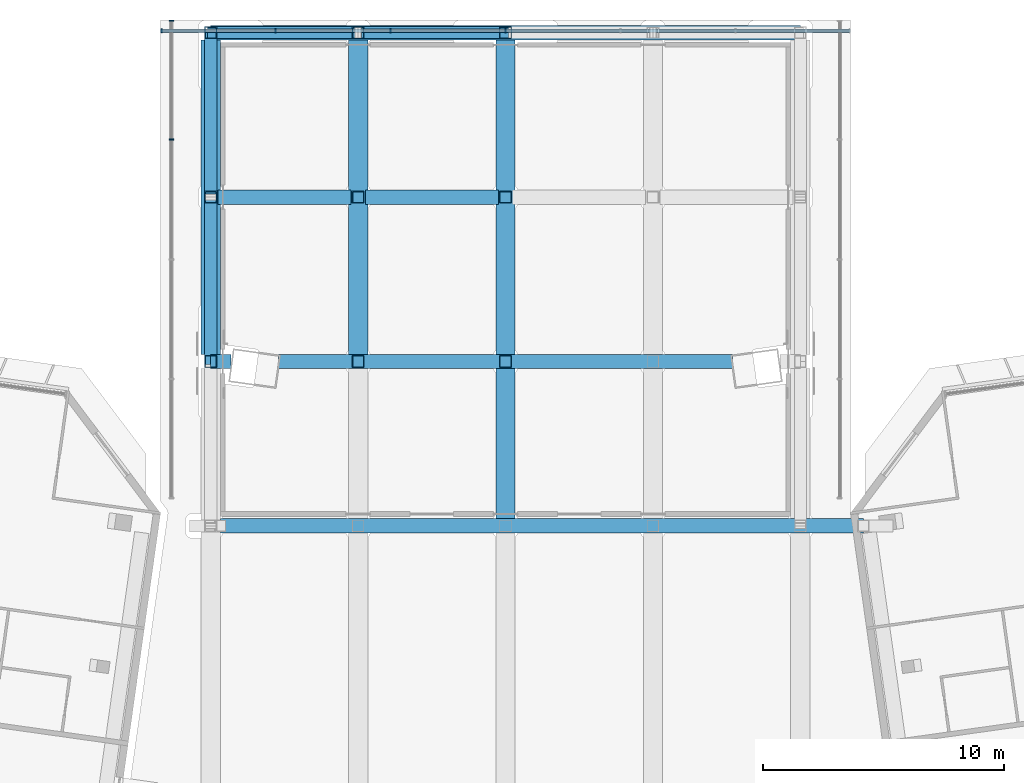
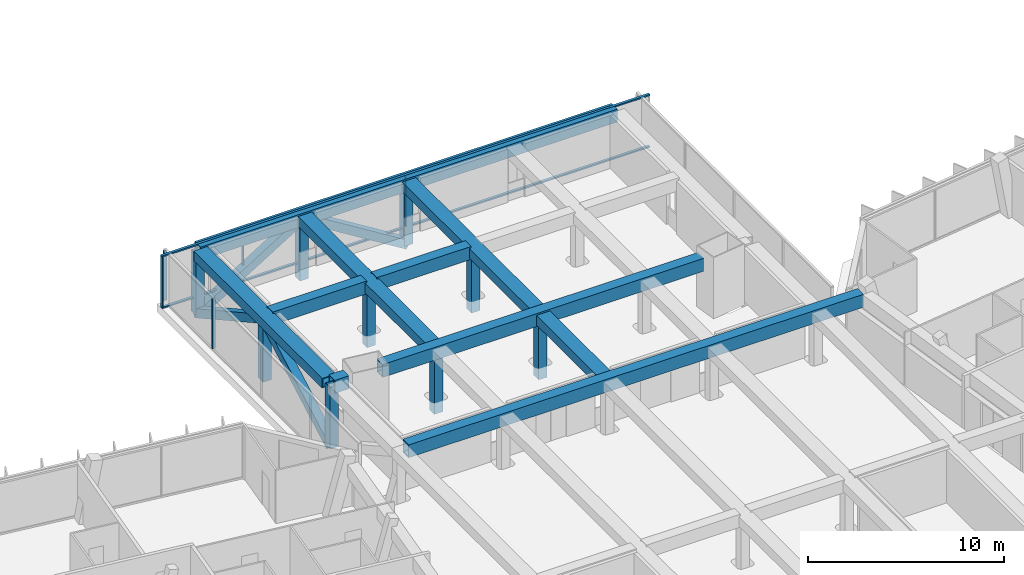
# One storey, part 9 of 30: 31 members, 2 elements without a shape of their own.
"""IFC4 building model written with IfcOpenShell, lengths in metres."""

from ifc_helpers import new_model, si_unit, direction, frame, origin, origin_2d, place, context, subcontext, project, spatial, rectangle, hollow_rectangle, extrude, material, material_profile, profile_set, type_object, element, aggregate, save


model = new_model("IFC4")

# Units and contexts
model_context = context("Model", 3, precision=1e-05, world=origin(), true_north=direction((0.0, 1.0)))
body_context = subcontext(model_context, "Body", "Model", "MODEL_VIEW")
ifc_project = project(units=[si_unit("LENGTHUNIT", "METRE"), si_unit("AREAUNIT", "SQUARE_METRE"), si_unit("VOLUMEUNIT", "CUBIC_METRE"), si_unit("PLANEANGLEUNIT", "RADIAN"), si_unit("MASSUNIT", "GRAM", prefix="KILO")], contexts=[model_context])

# Site, building, storey
site_placement = place(None, origin())
site = spatial("IfcSite", under=ifc_project, at=site_placement, CompositionType="ELEMENT")
building_placement = place(site_placement, origin())
building = spatial("IfcBuilding", under=site, at=building_placement, Name="Mirante Cascada Hotel Towers", CompositionType="ELEMENT")
storey_placement = place(building_placement, frame((0.0, 0.0, 258.4)))
storey = spatial("IfcBuildingStorey", under=building, at=storey_placement, Name="L62", CompositionType="ELEMENT", Elevation=258.4)

# Members
ifc_material_1 = material(Name="Steel ASTM A572 Gr 50", Category="steel")
ifc_material_profile_1 = material_profile(ifc_material_1, hollow_rectangle(XDim=0.6, YDim=0.8, WallThickness=0.04, at=origin_2d()), Name="Box chord 800x600x40 ASTM A572 Gr 50")
ifc_profile_set_1 = profile_set([ifc_material_profile_1], Name="Steel ASTM A572 Gr 50")
member_type_1 = type_object("IfcMemberType", Name="Box chord 800x600x40 ASTM A572 Gr 50", PredefinedType="CHORD", material=ifc_profile_set_1)
for number, where, z_axis, x_axis, name in (
    (1, (-12.2514, 17.0475, 2.9), (0.0, 1.0, 0.0), (0.0, 0.0, 1.0), "dchord sky park L63 4"),
    (2, (-6.1257, 17.0475, 2.9), (0.0, 1.0, 0.0), (0.0, 0.0, 1.0), "dchord sky park L63 8"),
):
    element("IfcMember", number, at=place(storey_placement, frame(where, z_axis=z_axis, x_axis=x_axis)), inside=storey, type_object=member_type_1, Name=name, PredefinedType="CHORD", context=body_context, shape_type="SweptSolid", body=[
        extrude(hollow_rectangle(XDim=0.6, YDim=0.8, WallThickness=0.04, at=origin_2d()), origin(), (0.0, 0.0, 1.0), 13.0667),
    ])
member_1_placement = place(storey_placement, frame((0.0, 10.2142, 2.9), z_axis=(0.0, 1.0, 0.0), x_axis=(0.0, 0.0, 1.0)))
element("IfcMember", 3, at=member_1_placement, inside=storey, type_object=member_type_1, Name="dchord sky park L63 11", PredefinedType="CHORD", context=body_context, shape_type="SweptSolid", body=[
    extrude(hollow_rectangle(XDim=0.6, YDim=0.8, WallThickness=0.04, at=origin_2d()), origin(), (0.0, 0.0, 1.0), 6.2333),
])
member_2_placement = place(storey_placement, frame((0.0, 17.0475, 2.9), z_axis=(0.0, 1.0, 0.0), x_axis=(0.0, 0.0, 1.0)))
element("IfcMember", 4, at=member_2_placement, inside=storey, type_object=member_type_1, Name="dchord sky park L63 12", PredefinedType="CHORD", context=body_context, shape_type="SweptSolid", body=[
    extrude(hollow_rectangle(XDim=0.6, YDim=0.8, WallThickness=0.04, at=origin_2d()), origin(), (0.0, 0.0, 1.0), 13.0667),
])
member_3_placement = place(storey_placement, frame((-11.8533, 9.9142, 2.9), z_axis=(1.0, 0.0, 0.0), x_axis=(0.0, 1.0, 0.0)))
element("IfcMember", 5, at=member_3_placement, inside=storey, type_object=member_type_1, Name="dchord sky park L63 28", PredefinedType="CHORD", context=body_context, shape_type="SweptSolid", body=[
    extrude(hollow_rectangle(XDim=0.6, YDim=0.8, WallThickness=0.04, at=origin_2d()), origin(), (0.0, 0.0, 1.0), 26.7282),
])
member_4_placement = place(storey_placement, frame((-9.4413, 16.7475, 2.9), z_axis=(1.0, 0.0, 0.0), x_axis=(0.0, 1.0, 0.0)))
element("IfcMember", 6, at=member_4_placement, inside=storey, type_object=member_type_1, Name="dchord sky park L63 30", PredefinedType="CHORD", context=body_context, shape_type="SweptSolid", body=[
    extrude(hollow_rectangle(XDim=0.6, YDim=0.8, WallThickness=0.04, at=origin_2d()), origin(), (0.0, 0.0, 1.0), 18.8826),
])
member_5_placement = place(storey_placement, frame((-12.2514, 16.7475, 2.9), z_axis=(1.0, 0.0, 0.0), x_axis=(0.0, 1.0, 0.0)))
element("IfcMember", 7, at=member_5_placement, inside=storey, type_object=member_type_1, Name="dchord sky park L63 31", PredefinedType="CHORD", context=body_context, shape_type="SweptSolid", body=[
    extrude(hollow_rectangle(XDim=0.6, YDim=0.8, WallThickness=0.04, at=origin_2d()), origin(), (0.0, 0.0, 1.0), 0.8347),
])
for number, where, z_axis, x_axis, name in (
    (8, (-11.9514, 23.5808, 2.9), (1.0, 0.0, 0.0), (0.0, 1.0, 0.0), "dchord sky park L63 33"),
    (9, (-5.8257, 23.5808, 2.9), (1.0, 0.0, 0.0), (0.0, 1.0, 0.0), "dchord sky park L63 34"),
):
    element("IfcMember", number, at=place(storey_placement, frame(where, z_axis=z_axis, x_axis=x_axis)), inside=storey, type_object=member_type_1, Name=name, PredefinedType="CHORD", context=body_context, shape_type="SweptSolid", body=[
        extrude(hollow_rectangle(XDim=0.6, YDim=0.8, WallThickness=0.04, at=origin_2d()), origin(), (0.0, 0.0, 1.0), 5.5257),
    ])
member_6_placement = place(storey_placement, frame((-12.2514, 30.4142, 2.9), z_axis=(1.0, 0.0, 0.0), x_axis=(0.0, 1.0, 0.0)))
element("IfcMember", 10, at=member_6_placement, inside=storey, type_object=member_type_1, Name="dchord sky park L63 37", PredefinedType="CHORD", context=body_context, shape_type="SweptSolid", body=[
    extrude(hollow_rectangle(XDim=0.6, YDim=0.8, WallThickness=0.04, at=origin_2d()), origin(), (0.0, 0.0, 1.0), 24.5028),
])
ifc_material_2 = material(Name="Steel ASTM A572 Gr 50", Category="steel")
ifc_material_profile_2 = material_profile(ifc_material_2, hollow_rectangle(XDim=0.5, YDim=0.5, WallThickness=0.03, at=origin_2d()), Name="Box diagonal 500x500x30 ASTM A572 Gr 50")
ifc_profile_set_2 = profile_set([ifc_material_profile_2], Name="Steel ASTM A572 Gr 50")
member_type_2 = type_object("IfcMemberType", Name="Box diagonal 500x500x30 ASTM A572 Gr 50", PredefinedType="BRACE", material=ifc_profile_set_2)
member_7_placement = place(storey_placement, frame((-12.2514, 16.7475, -0.9), z_axis=(0.0, 0.8739551, 0.4860067), x_axis=(-1.0, 0.0, 0.0)))
element("IfcMember", 11, at=member_7_placement, inside=storey, type_object=member_type_2, Name="ddiag sky park L62 4", PredefinedType="BRACE", context=body_context, shape_type="SweptSolid", body=[
    extrude(hollow_rectangle(XDim=0.5, YDim=0.5, WallThickness=0.03, at=origin_2d()), origin(), (0.0, 0.0, 1.0), 7.8188),
])
member_8_placement = place(storey_placement, frame((-12.2514, 30.4142, -0.9), z_axis=(0.0, -0.8739581, 0.4860012), x_axis=(1.0, 0.0, 0.0)))
element("IfcMember", 12, at=member_8_placement, inside=storey, type_object=member_type_2, Name="ddiag sky park L62 5", PredefinedType="BRACE", context=body_context, shape_type="SweptSolid", body=[
    extrude(hollow_rectangle(XDim=0.5, YDim=0.5, WallThickness=0.03, at=origin_2d()), origin(), (0.0, 0.0, 1.0), 7.8189),
])
for number, where, z_axis, x_axis, name in (
    (13, (-12.2514, 30.4142, -0.9), (0.8497743, 0.0, 0.5271467), (0.0, 1.0, 0.0), "ddiag sky park L62 11"),
    (14, (0.0, 30.4142, -0.9), (-0.8497743, 0.0, 0.5271467), (0.0, -1.0, 0.0), "ddiag sky park L62 12"),
):
    element("IfcMember", number, at=place(storey_placement, frame(where, z_axis=z_axis, x_axis=x_axis)), inside=storey, type_object=member_type_2, Name=name, PredefinedType="BRACE", context=body_context, shape_type="SweptSolid", body=[
        extrude(hollow_rectangle(XDim=0.5, YDim=0.5, WallThickness=0.03, at=origin_2d()), origin(), (0.0, 0.0, 1.0), 7.2086),
    ])
ifc_material_3 = material(Name="Steel ASTM A572 Gr 50", Category="steel")
ifc_material_profile_3 = material_profile(ifc_material_3, hollow_rectangle(XDim=0.5, YDim=0.5, WallThickness=0.03, at=origin_2d()), Name="Box post 500x500x30 ASTM A572 Gr 50")
ifc_profile_set_3 = profile_set([ifc_material_profile_3], Name="Steel ASTM A572 Gr 50")
member_type_3 = type_object("IfcMemberType", Name="Box post 500x500x30 ASTM A572 Gr 50", PredefinedType="POST", material=ifc_profile_set_3)
for number, where, z_axis, x_axis, name in (
    (15, (-12.2514, 16.7475, -0.9), (0.0, 0.0, 1.0), (1.0, 0.0, 0.0), "dpost sky park L62 5"),
    (16, (-12.2514, 23.5808, -0.9), (0.0, 0.0, 1.0), (1.0, 0.0, 0.0), "dpost sky park L62 6"),
    (17, (-12.2514, 30.4142, -0.9), (0.0, 0.0, 1.0), (1.0, 0.0, 0.0), "dpost sky park L62 7"),
    (18, (-6.1257, 16.7475, -0.9), (0.0, 0.0, 1.0), (1.0, 0.0, 0.0), "dpost sky park L62 12"),
    (19, (-6.1257, 23.5808, -0.9), (0.0, 0.0, 1.0), (1.0, 0.0, 0.0), "dpost sky park L62 13"),
    (20, (-6.1257, 30.4142, -0.9), (0.0, 0.0, 1.0), (1.0, 0.0, 0.0), "dpost sky park L62 14"),
    (21, (0.0, 16.7475, -0.9), (0.0, 0.0, 1.0), (1.0, 0.0, 0.0), "dpost sky park L62 19"),
    (22, (0.0, 23.5808, -0.9), (0.0, 0.0, 1.0), (1.0, 0.0, 0.0), "dpost sky park L62 20"),
    (23, (0.0, 30.4142, -0.9), (0.0, 0.0, 1.0), (1.0, 0.0, 0.0), "dpost sky park L62 21"),
):
    element("IfcMember", number, at=place(storey_placement, frame(where, z_axis=z_axis, x_axis=x_axis)), inside=storey, type_object=member_type_3, Name=name, PredefinedType="POST", context=body_context, shape_type="SweptSolid", body=[
        extrude(hollow_rectangle(XDim=0.5, YDim=0.5, WallThickness=0.03, at=origin_2d()), origin(), (0.0, 0.0, 1.0), 3.8),
    ])

# Curtain wall, members
ifc_material_4 = material(Name="Aluminium mullion and transom frame with clear laminated glass", Category="aluminium")
curtain_wall_type = type_object("IfcCurtainWallType", Name="Sky park deck curtain wall ECW5", PredefinedType="NOTDEFINED", material=ifc_material_4)
curtain_wall_1_placement = place(storey_placement, origin())
curtain_wall_1 = element("IfcCurtainWall", 24, at=curtain_wall_1_placement, inside=storey, type_object=curtain_wall_type, Name="Sky park glazing L62 run 3", PredefinedType="NOTDEFINED")
ifc_material_5 = material(Name="Anodised aluminium extrusion", Category="aluminium")
ifc_material_profile_4 = material_profile(ifc_material_5, rectangle(XDim=0.18, YDim=0.06, at=origin_2d()), Name="ECW5 MULLION 60x180")
ifc_profile_set_4 = profile_set([ifc_material_profile_4], Name="Anodised aluminium extrusion")
member_type_4 = type_object("IfcMemberType", Name="ECW5 mullion 60x180", PredefinedType="MULLION", material=ifc_profile_set_4)
member_9_placement = place(storey_placement, frame((0.0, 30.4911, 0.09), z_axis=(0.0, 0.0, 1.0), x_axis=(0.0, -1.0, 0.0)))
member_9 = element("IfcMember", 25, at=member_9_placement, type_object=member_type_4, Name="ECW5 mullion 4", PredefinedType="MULLION", context=body_context, shape_type="SweptSolid", body=[
    extrude(rectangle(XDim=0.18, YDim=0.06, at=origin_2d()), origin(), (0.0, 0.0, 1.0), 3.12),
])
member_10_placement = place(storey_placement, frame((-4.7788, 30.4911, 0.09), z_axis=(0.0, 0.0, 1.0), x_axis=(0.0, -1.0, 0.0)))
member_10 = element("IfcMember", 26, at=member_10_placement, type_object=member_type_4, Name="ECW5 mullion 5", PredefinedType="MULLION", context=body_context, shape_type="SweptSolid", body=[
    extrude(rectangle(XDim=0.18, YDim=0.06, at=origin_2d()), origin(), (0.0, 0.0, 1.0), 3.12),
])
member_11_placement = place(storey_placement, frame((-9.5576, 30.4911, 0.09), z_axis=(0.0, 0.0, 1.0), x_axis=(0.0, -1.0, 0.0)))
member_11 = element("IfcMember", 27, at=member_11_placement, type_object=member_type_4, Name="ECW5 mullion 6", PredefinedType="MULLION", context=body_context, shape_type="SweptSolid", body=[
    extrude(rectangle(XDim=0.18, YDim=0.06, at=origin_2d()), origin(), (0.0, 0.0, 1.0), 3.12),
])
member_12_placement = place(storey_placement, frame((-14.3064, 30.4911, 0.09), z_axis=(0.0, 0.0, 1.0), x_axis=(0.0, -1.0, 0.0)))
member_12 = element("IfcMember", 28, at=member_12_placement, type_object=member_type_4, Name="ECW5 mullion 7", PredefinedType="MULLION", context=body_context, shape_type="SweptSolid", body=[
    extrude(rectangle(XDim=0.18, YDim=0.06, at=origin_2d()), origin(), (0.0, 0.0, 1.0), 3.12),
])

curtain_wall_2_placement = place(storey_placement, origin())
curtain_wall_2 = element("IfcCurtainWall", 29, at=curtain_wall_2_placement, inside=storey, type_object=curtain_wall_type, Name="Sky park glazing L62 run 4", PredefinedType="NOTDEFINED")
member_13_placement = place(storey_placement, frame((-13.8864, 30.9111, 0.09), z_axis=(0.0, 0.0, 1.0), x_axis=(1.0, 0.0, 0.0)))
member_13 = element("IfcMember", 30, at=member_13_placement, type_object=member_type_4, Name="ECW5 mullion 1", PredefinedType="MULLION", context=body_context, shape_type="SweptSolid", body=[
    extrude(rectangle(XDim=0.18, YDim=0.06, at=origin_2d()), origin(), (0.0, 0.0, 1.0), 3.12),
])
member_14_placement = place(storey_placement, frame((-13.8864, 25.9661, 0.09), z_axis=(0.0, 0.0, 1.0), x_axis=(1.0, 0.0, 0.0)))
member_14 = element("IfcMember", 31, at=member_14_placement, type_object=member_type_4, Name="ECW5 mullion 2", PredefinedType="MULLION", context=body_context, shape_type="SweptSolid", body=[
    extrude(rectangle(XDim=0.18, YDim=0.06, at=origin_2d()), origin(), (0.0, 0.0, 1.0), 3.12),
])
aggregate(curtain_wall_2, [member_13, member_14])

# Member
ifc_material_6 = material(Name="Anodised aluminium extrusion", Category="aluminium")
ifc_material_profile_5 = material_profile(ifc_material_6, rectangle(XDim=0.15, YDim=0.09, at=origin_2d()), Name="ECW5 TRANSOM 90x150")
ifc_profile_set_5 = profile_set([ifc_material_profile_5], Name="Anodised aluminium extrusion")
member_type_5 = type_object("IfcMemberType", Name="ECW5 transom 90x150", PredefinedType="USERDEFINED", material=ifc_profile_set_5)
member_15_placement = place(storey_placement, frame((14.3364, 30.4911, 0.045), z_axis=(-1.0, 0.0, 0.0), x_axis=(0.0, -1.0, 0.0)))
member_15 = element("IfcMember", 32, at=member_15_placement, type_object=member_type_5, Name="ECW5 sill transom", ObjectType="TRANSOM", PredefinedType="USERDEFINED", context=body_context, shape_type="SweptSolid", body=[
    extrude(rectangle(XDim=0.15, YDim=0.09, at=origin_2d()), origin(), (0.0, 0.0, 1.0), 28.6728),
])

member_16_placement = place(storey_placement, frame((14.3364, 30.4911, 3.255), z_axis=(-1.0, 0.0, 0.0), x_axis=(0.0, -1.0, 0.0)))
member_16 = element("IfcMember", 33, at=member_16_placement, type_object=member_type_5, Name="ECW5 head transom", ObjectType="TRANSOM", PredefinedType="USERDEFINED", context=body_context, shape_type="SweptSolid", body=[
    extrude(rectangle(XDim=0.15, YDim=0.09, at=origin_2d()), origin(), (0.0, 0.0, 1.0), 28.6728),
])

aggregate(curtain_wall_1, [member_15, member_16, member_9, member_10, member_11, member_12])

save(model, "model.ifc")
